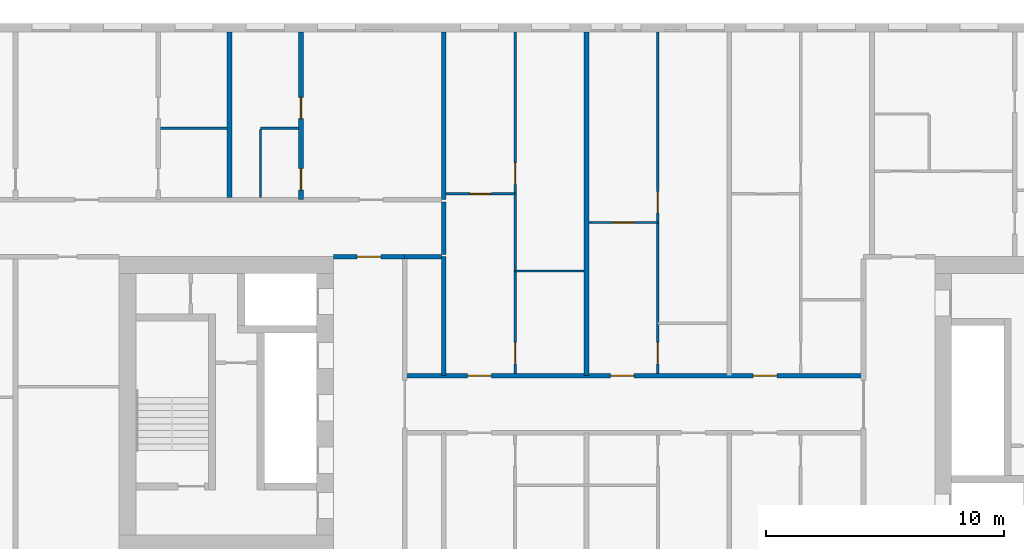
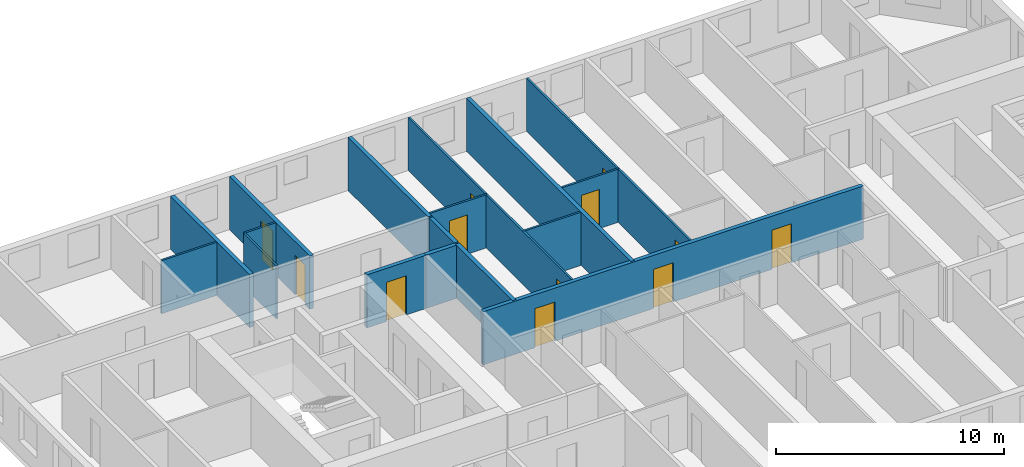
# One storey, part 5 of 17: 17 walls, 12 doors, 12 openings.
"""IFC4 building model written with IfcOpenShell, lengths in metres."""

from ifc_helpers import new_model, si_unit, direction, frame, frame_2d, origin, place, context, subcontext, project, spatial, rectangle, extrude, material, layer, layer_set, type_object, element, fill, save


model = new_model("IFC4")

# Units and contexts
model_context = context("Model", 3, precision=1e-05, world=origin(), true_north=direction((0.0, 1.0)))
body_context = subcontext(model_context, "Body", "Model", "MODEL_VIEW")
ifc_project = project(units=[si_unit("LENGTHUNIT", "METRE"), si_unit("AREAUNIT", "SQUARE_METRE"), si_unit("VOLUMEUNIT", "CUBIC_METRE"), si_unit("PLANEANGLEUNIT", "RADIAN"), si_unit("MASSUNIT", "GRAM", prefix="KILO")], contexts=[model_context])

# Site, building, storey
site_placement = place(None, origin())
site = spatial("IfcSite", under=ifc_project, at=site_placement, CompositionType="ELEMENT")
building_placement = place(site_placement, origin())
building = spatial("IfcBuilding", under=site, at=building_placement, Name="Tuart Gate Housing", CompositionType="ELEMENT")
storey_placement = place(building_placement, frame((0.0, 0.0, 84.0)))
storey = spatial("IfcBuildingStorey", under=building, at=storey_placement, Name="L23", CompositionType="ELEMENT", Elevation=84.0)

# Wall, openings, doors
ifc_material_1 = material(Name="Concrete masonry 15 MPa", Category="masonry")
ifc_layer_1 = layer(ifc_material_1, 0.199951171875)
ifc_layer_set_1 = layer_set([ifc_layer_1], Name="Corridor wall masonry 200")
wall_type_1 = type_object("IfcWallType", Name="Corridor wall masonry 200", PredefinedType="PARTITIONING", material=ifc_layer_set_1)
wall_1_placement = place(storey_placement, frame((44.360107421875, 71.199951171875, 0.0), z_axis=(0.0, 0.0, 1.0), x_axis=(1.0, 0.0, 0.0)))
wall_1 = element("IfcWall", 1, at=wall_1_placement, inside=storey, type_object=wall_type_1, Name="Corridor wall masonry 200", PredefinedType="PARTITIONING", context=body_context, shape_type="SweptSolid", body=[
    extrude(rectangle(XDim=19.27978515625, YDim=0.199951171875, at=frame_2d((9.639892578125, 0.0))), origin(), (0.0, 0.0, 1.0), 2.85009765625),
])
opening_1_placement = place(wall_1_placement, frame((14.639892578125, 0.0, 0.0)))
opening_1 = element("IfcOpeningElement", 2, at=opening_1_placement, cuts=wall_1, Name="Opening D976", PredefinedType="OPENING", context=body_context, shape_type="SweptSolid", body=[
    extrude(rectangle(XDim=1.0, YDim=2.10009765625, at=frame_2d((0.5, 1.050048828125))), frame((0.0, 0.10986328125, 0.0), z_axis=(0.0, -1.0, 0.0), x_axis=(1.0, 0.0, 0.0)), (0.0, 0.0, 1.0), 0.219970703125),
])
opening_2_placement = place(wall_1_placement, frame((8.639892578125, 0.0, 0.0)))
opening_2 = element("IfcOpeningElement", 3, at=opening_2_placement, cuts=wall_1, Name="Opening D977", PredefinedType="OPENING", context=body_context, shape_type="SweptSolid", body=[
    extrude(rectangle(XDim=1.0, YDim=2.10009765625, at=frame_2d((0.5, 1.050048828125))), frame((0.0, 0.10986328125, 0.0), z_axis=(0.0, -1.0, 0.0), x_axis=(1.0, 0.0, 0.0)), (0.0, 0.0, 1.0), 0.219970703125),
])
opening_3_placement = place(wall_1_placement, frame((2.639892578125, 0.0, 0.0)))
opening_3 = element("IfcOpeningElement", 4, at=opening_3_placement, cuts=wall_1, Name="Opening D978", PredefinedType="OPENING", context=body_context, shape_type="SweptSolid", body=[
    extrude(rectangle(XDim=1.0, YDim=2.10009765625, at=frame_2d((0.5, 1.050048828125))), frame((0.0, 0.10986328125, 0.0), z_axis=(0.0, -1.0, 0.0), x_axis=(1.0, 0.0, 0.0)), (0.0, 0.0, 1.0), 0.219970703125),
])
ifc_material_2 = material(Name="Timber door leaf in steel frame", Category="steel")
door_type_1 = type_object("IfcDoorType", Name="Flat entrance door 1000", OperationType="SINGLE_SWING_LEFT", PredefinedType="DOOR", material=ifc_material_2)
door_1_placement = place(opening_1_placement, origin())
door_1 = element("IfcDoor", 5, at=door_1_placement, inside=storey, type_object=door_type_1, Name="Flat entrance door", OperationType="SINGLE_SWING_LEFT", OverallHeight=2.10009765625, OverallWidth=1.0, PredefinedType="DOOR", context=body_context, shape_type="SweptSolid", body=[
    extrude(rectangle(XDim=1.0, YDim=2.10009765625, at=frame_2d((0.5, 1.050048828125))), frame((0.0, 0.02490234375, 0.0), z_axis=(0.0, -1.0, 0.0), x_axis=(1.0, 0.0, 0.0)), (0.0, 0.0, 1.0), 0.050048828125),
])
fill(opening_1, door_1)
door_2_placement = place(opening_2_placement, origin())
door_2 = element("IfcDoor", 6, at=door_2_placement, inside=storey, type_object=door_type_1, Name="Flat entrance door", OperationType="SINGLE_SWING_LEFT", OverallHeight=2.10009765625, OverallWidth=1.0, PredefinedType="DOOR", context=body_context, shape_type="SweptSolid", body=[
    extrude(rectangle(XDim=1.0, YDim=2.10009765625, at=frame_2d((0.5, 1.050048828125))), frame((0.0, 0.02490234375, 0.0), z_axis=(0.0, -1.0, 0.0), x_axis=(1.0, 0.0, 0.0)), (0.0, 0.0, 1.0), 0.050048828125),
])
fill(opening_2, door_2)
door_3_placement = place(opening_3_placement, origin())
door_3 = element("IfcDoor", 7, at=door_3_placement, inside=storey, type_object=door_type_1, Name="Flat entrance door", OperationType="SINGLE_SWING_LEFT", OverallHeight=2.10009765625, OverallWidth=1.0, PredefinedType="DOOR", context=body_context, shape_type="SweptSolid", body=[
    extrude(rectangle(XDim=1.0, YDim=2.10009765625, at=frame_2d((0.5, 1.050048828125))), frame((0.0, 0.02490234375, 0.0), z_axis=(0.0, -1.0, 0.0), x_axis=(1.0, 0.0, 0.0)), (0.0, 0.0, 1.0), 0.050048828125),
])
fill(opening_3, door_3)

# Walls
wall_2_placement = place(storey_placement, frame((44.360107421875, 76.199951171875, 0.0), z_axis=(0.0, 0.0, 1.0), x_axis=(1.0, 0.0, 0.0)))
element("IfcWall", 8, at=wall_2_placement, inside=storey, type_object=wall_type_1, Name="Corridor wall masonry 200", PredefinedType="PARTITIONING", context=body_context, shape_type="SweptSolid", body=[
    extrude(rectangle(XDim=1.539794921875, YDim=0.199951171875, at=frame_2d((0.77001953125, 0.0))), origin(), (0.0, 0.0, 1.0), 2.85009765625),
])
wall_3_placement = place(storey_placement, frame((46.0, 76.300048828125, 0.0), z_axis=(0.0, 0.0, 1.0), x_axis=(0.0, 1.0, 0.0)))
element("IfcWall", 9, at=wall_3_placement, inside=storey, type_object=wall_type_1, Name="Corridor wall masonry 200", PredefinedType="PARTITIONING", context=body_context, shape_type="SweptSolid", body=[
    extrude(rectangle(XDim=2.199951171875, YDim=0.199951171875, at=frame_2d((1.10009765625, 0.0))), origin(), (0.0, 0.0, 1.0), 2.85009765625),
])

# Wall, opening, door
ifc_material_3 = material(Name="Concrete masonry 15 MPa", Category="masonry")
ifc_layer_2 = layer(ifc_material_3, 0.199951171875)
ifc_layer_set_2 = layer_set([ifc_layer_2], Name="Enclosure wall masonry 200")
wall_type_2 = type_object("IfcWallType", Name="Enclosure wall masonry 200", PredefinedType="PARTITIONING", material=ifc_layer_set_2)
wall_4_placement = place(storey_placement, frame((41.360107421875, 76.199951171875, 0.0), z_axis=(0.0, 0.0, 1.0), x_axis=(1.0, 0.0, 0.0)))
wall_4 = element("IfcWall", 10, at=wall_4_placement, inside=storey, type_object=wall_type_2, Name="Enclosure wall masonry 200", PredefinedType="PARTITIONING", context=body_context, shape_type="SweptSolid", body=[
    extrude(rectangle(XDim=3.0, YDim=0.199951171875, at=frame_2d((1.5, 0.0))), origin(), (0.0, 0.0, 1.0), 2.85009765625),
])
opening_4_placement = place(wall_4_placement, frame((1.0, 0.0, 0.0)))
opening_4 = element("IfcOpeningElement", 11, at=opening_4_placement, cuts=wall_4, Name="Opening D971", PredefinedType="OPENING", context=body_context, shape_type="SweptSolid", body=[
    extrude(rectangle(XDim=1.0, YDim=2.10009765625, at=frame_2d((0.5, 1.050048828125))), frame((0.0, 0.10986328125, 0.0), z_axis=(0.0, -1.0, 0.0), x_axis=(1.0, 0.0, 0.0)), (0.0, 0.0, 1.0), 0.219970703125),
])
ifc_material_4 = material(Name="Timber door leaf in steel frame", Category="steel")
door_type_2 = type_object("IfcDoorType", Name="Fire door 1000 RH", OperationType="SINGLE_SWING_RIGHT", PredefinedType="DOOR", material=ifc_material_4)
door_4_placement = place(opening_4_placement, origin())
door_4 = element("IfcDoor", 12, at=door_4_placement, inside=storey, type_object=door_type_2, Name="Fire door", OperationType="SINGLE_SWING_RIGHT", OverallHeight=2.10009765625, OverallWidth=1.0, PredefinedType="DOOR", context=body_context, shape_type="SweptSolid", body=[
    extrude(rectangle(XDim=1.0, YDim=2.10009765625, at=frame_2d((0.5, 1.050048828125))), frame((0.0, 0.02490234375, 0.0), z_axis=(0.0, -1.0, 0.0), x_axis=(1.0, 0.0, 0.0)), (0.0, 0.0, 1.0), 0.050048828125),
])
fill(opening_4, door_4)

# Wall
ifc_material_5 = material(Name="Gypsum board on steel studs", Category="steel")
ifc_layer_3 = layer(ifc_material_5, 0.10009765625)
ifc_layer_set_3 = layer_set([ifc_layer_3], Name="Partition 100")
wall_type_3 = type_object("IfcWallType", Name="Partition 100", PredefinedType="PARTITIONING", material=ifc_layer_set_3)
wall_5_placement = place(storey_placement, frame((49.0, 75.60009765625, 0.0), z_axis=(0.0, 0.0, 1.0), x_axis=(1.0, 0.0, 0.0)))
element("IfcWall", 13, at=wall_5_placement, inside=storey, type_object=wall_type_3, Name="Partition 100", PredefinedType="PARTITIONING", context=body_context, shape_type="SweptSolid", body=[
    extrude(rectangle(XDim=2.89990234375, YDim=0.10009765625, at=frame_2d((1.449951171875, 0.0))), origin(), (0.0, 0.0, 1.0), 2.85009765625),
])

# Wall, opening, door
wall_6_placement = place(storey_placement, frame((52.10009765625, 77.639892578125, 0.0), z_axis=(0.0, 0.0, 1.0), x_axis=(1.0, 0.0, 0.0)))
wall_6 = element("IfcWall", 14, at=wall_6_placement, inside=storey, type_object=wall_type_3, Name="Partition 100", PredefinedType="PARTITIONING", context=body_context, shape_type="SweptSolid", body=[
    extrude(rectangle(XDim=2.89990234375, YDim=0.10009765625, at=frame_2d((1.449951171875, 0.0))), origin(), (0.0, 0.0, 1.0), 2.85009765625),
])
opening_5_placement = place(wall_6_placement, frame((1.0, 0.0, 0.0)))
opening_5 = element("IfcOpeningElement", 15, at=opening_5_placement, cuts=wall_6, Name="Opening D969", PredefinedType="OPENING", context=body_context, shape_type="SweptSolid", body=[
    extrude(rectangle(XDim=0.89990234375, YDim=2.10009765625, at=frame_2d((0.449951171875, 1.050048828125))), frame((0.0, 0.06005859375, 0.0), z_axis=(0.0, -1.0, 0.0), x_axis=(1.0, 0.0, 0.0)), (0.0, 0.0, 1.0), 0.1201171875),
])
ifc_material_6 = material(Name="Timber door leaf in steel frame", Category="steel")
door_type_3 = type_object("IfcDoorType", Name="Internal door 900", OperationType="SINGLE_SWING_LEFT", PredefinedType="DOOR", material=ifc_material_6)
door_5_placement = place(opening_5_placement, frame((0.89990234375, 0.0, 0.0), z_axis=(0.0, 0.0, 1.0), x_axis=(-1.0, 0.0, 0.0)))
door_5 = element("IfcDoor", 16, at=door_5_placement, inside=storey, type_object=door_type_3, Name="Internal door", OperationType="SINGLE_SWING_LEFT", OverallHeight=2.10009765625, OverallWidth=0.89990234375, PredefinedType="DOOR", context=body_context, shape_type="SweptSolid", body=[
    extrude(rectangle(XDim=0.89990234375, YDim=2.10009765625, at=frame_2d((0.449951171875, 1.050048828125))), frame((0.0, 0.025146484375, 0.0), z_axis=(0.0, -1.0, 0.0), x_axis=(1.0, 0.0, 0.0)), (0.0, 0.0, 1.0), 0.050048828125),
])
fill(opening_5, door_5)

wall_7_placement = place(storey_placement, frame((46.10009765625, 78.840087890625, 0.0), z_axis=(0.0, 0.0, 1.0), x_axis=(1.0, 0.0, 0.0)))
wall_7 = element("IfcWall", 17, at=wall_7_placement, inside=storey, type_object=wall_type_3, Name="Partition 100", PredefinedType="PARTITIONING", context=body_context, shape_type="SweptSolid", body=[
    extrude(rectangle(XDim=2.89990234375, YDim=0.10009765625, at=frame_2d((1.449951171875, 0.0))), origin(), (0.0, 0.0, 1.0), 2.85009765625),
])
opening_6_placement = place(wall_7_placement, frame((1.0, 0.0, 0.0)))
opening_6 = element("IfcOpeningElement", 18, at=opening_6_placement, cuts=wall_7, Name="Opening D959", PredefinedType="OPENING", context=body_context, shape_type="SweptSolid", body=[
    extrude(rectangle(XDim=0.89990234375, YDim=2.10009765625, at=frame_2d((0.449951171875, 1.050048828125))), frame((0.0, 0.06005859375, 0.0), z_axis=(0.0, -1.0, 0.0), x_axis=(1.0, 0.0, 0.0)), (0.0, 0.0, 1.0), 0.1201171875),
])
door_6_placement = place(opening_6_placement, frame((0.89990234375, 0.0, 0.0), z_axis=(0.0, 0.0, 1.0), x_axis=(-1.0, 0.0, 0.0)))
door_6 = element("IfcDoor", 19, at=door_6_placement, inside=storey, type_object=door_type_3, Name="Internal door", OperationType="SINGLE_SWING_LEFT", OverallHeight=2.10009765625, OverallWidth=0.89990234375, PredefinedType="DOOR", context=body_context, shape_type="SweptSolid", body=[
    extrude(rectangle(XDim=0.89990234375, YDim=2.10009765625, at=frame_2d((0.449951171875, 1.050048828125))), frame((0.0, 0.025146484375, 0.0), z_axis=(0.0, -1.0, 0.0), x_axis=(1.0, 0.0, 0.0)), (0.0, 0.0, 1.0), 0.050048828125),
])
fill(opening_6, door_6)

# Walls
wall_8_placement = place(storey_placement, frame((34.10009765625, 81.60009765625, 0.0), z_axis=(0.0, 0.0, 1.0), x_axis=(1.0, 0.0, 0.0)))
element("IfcWall", 20, at=wall_8_placement, inside=storey, type_object=wall_type_3, Name="Partition 100", PredefinedType="PARTITIONING", context=body_context, shape_type="SweptSolid", body=[
    extrude(rectangle(XDim=2.7998046875, YDim=0.10009765625, at=frame_2d((1.39990234375, 0.0))), origin(), (0.0, 0.0, 1.0), 2.85009765625),
])
wall_9_placement = place(storey_placement, frame((38.300048828125, 81.60009765625, 0.0), z_axis=(0.0, 0.0, 1.0), x_axis=(1.0, 0.0, 0.0)))
element("IfcWall", 21, at=wall_9_placement, inside=storey, type_object=wall_type_3, Name="Partition 100", PredefinedType="PARTITIONING", context=body_context, shape_type="SweptSolid", body=[
    extrude(rectangle(XDim=1.599853515625, YDim=0.10009765625, at=frame_2d((0.7998046875, 0.0))), origin(), (0.0, 0.0, 1.0), 2.85009765625),
])
wall_10_placement = place(storey_placement, frame((38.300048828125, 78.699951171875, 0.0), z_axis=(0.0, 0.0, 1.0), x_axis=(0.0, 1.0, 0.0)))
element("IfcWall", 22, at=wall_10_placement, inside=storey, type_object=wall_type_3, Name="Partition 100", PredefinedType="PARTITIONING", context=body_context, shape_type="SweptSolid", body=[
    extrude(rectangle(XDim=2.85009765625, YDim=0.10009765625, at=frame_2d((1.425048828125, 0.0))), origin(), (0.0, 0.0, 1.0), 2.85009765625),
])

# Wall, openings, doors
wall_11_placement = place(storey_placement, frame((49.0, 71.300048828125, 0.0), z_axis=(0.0, 0.0, 1.0), x_axis=(0.0, 1.0, 0.0)))
wall_11 = element("IfcWall", 23, at=wall_11_placement, inside=storey, type_object=wall_type_3, Name="Partition 100", PredefinedType="PARTITIONING", context=body_context, shape_type="SweptSolid", body=[
    extrude(rectangle(XDim=14.33984375, YDim=0.10009765625, at=frame_2d((7.169921875, 0.0))), origin(), (0.0, 0.0, 1.0), 2.85009765625),
])
opening_7_placement = place(wall_11_placement, frame((7.93994140625, 0.0, 0.0)))
opening_7 = element("IfcOpeningElement", 24, at=opening_7_placement, cuts=wall_11, Name="Opening D964", PredefinedType="OPENING", context=body_context, shape_type="SweptSolid", body=[
    extrude(rectangle(XDim=0.89990234375, YDim=2.10009765625, at=frame_2d((0.449951171875, 1.050048828125))), frame((0.0, 0.06005859375, 0.0), z_axis=(0.0, -1.0, 0.0), x_axis=(1.0, 0.0, 0.0)), (0.0, 0.0, 1.0), 0.1201171875),
])
opening_8_placement = place(wall_11_placement, frame((0.39990234375, 0.0, 0.0)))
opening_8 = element("IfcOpeningElement", 25, at=opening_8_placement, cuts=wall_11, Name="Opening D963", PredefinedType="OPENING", context=body_context, shape_type="SweptSolid", body=[
    extrude(rectangle(XDim=0.89990234375, YDim=2.10009765625, at=frame_2d((0.449951171875, 1.050048828125))), frame((0.0, 0.06005859375, 0.0), z_axis=(0.0, -1.0, 0.0), x_axis=(1.0, 0.0, 0.0)), (0.0, 0.0, 1.0), 0.1201171875),
])
ifc_material_7 = material(Name="Timber door leaf in steel frame", Category="steel")
door_type_4 = type_object("IfcDoorType", Name="Bathroom door 900 RH", OperationType="SINGLE_SWING_RIGHT", PredefinedType="DOOR", material=ifc_material_7)
door_7_placement = place(opening_8_placement, frame((0.89990234375, 0.0, 0.0), z_axis=(0.0, 0.0, 1.0), x_axis=(-1.0, 0.0, 0.0)))
door_7 = element("IfcDoor", 26, at=door_7_placement, inside=storey, type_object=door_type_4, Name="Bathroom door", OperationType="SINGLE_SWING_RIGHT", OverallHeight=2.10009765625, OverallWidth=0.89990234375, PredefinedType="DOOR", context=body_context, shape_type="SweptSolid", body=[
    extrude(rectangle(XDim=0.89990234375, YDim=2.10009765625, at=frame_2d((0.449951171875, 1.050048828125))), frame((0.0, 0.025146484375, 0.0), z_axis=(0.0, -1.0, 0.0), x_axis=(1.0, 0.0, 0.0)), (0.0, 0.0, 1.0), 0.050048828125),
])
fill(opening_8, door_7)
ifc_material_8 = material(Name="Timber door leaf in steel frame", Category="steel")
door_type_5 = type_object("IfcDoorType", Name="Internal door 900 RH", OperationType="SINGLE_SWING_RIGHT", PredefinedType="DOOR", material=ifc_material_8)
door_8_placement = place(opening_7_placement, frame((0.89990234375, 0.0, 0.0), z_axis=(0.0, 0.0, 1.0), x_axis=(-1.0, 0.0, 0.0)))
door_8 = element("IfcDoor", 27, at=door_8_placement, inside=storey, type_object=door_type_5, Name="Internal door", OperationType="SINGLE_SWING_RIGHT", OverallHeight=2.10009765625, OverallWidth=0.89990234375, PredefinedType="DOOR", context=body_context, shape_type="SweptSolid", body=[
    extrude(rectangle(XDim=0.89990234375, YDim=2.10009765625, at=frame_2d((0.449951171875, 1.050048828125))), frame((0.0, 0.025146484375, 0.0), z_axis=(0.0, -1.0, 0.0), x_axis=(1.0, 0.0, 0.0)), (0.0, 0.0, 1.0), 0.050048828125),
])
fill(opening_7, door_8)

wall_12_placement = place(storey_placement, frame((55.0, 71.300048828125, 0.0), z_axis=(0.0, 0.0, 1.0), x_axis=(0.0, 1.0, 0.0)))
wall_12 = element("IfcWall", 28, at=wall_12_placement, inside=storey, type_object=wall_type_3, Name="Partition 100", PredefinedType="PARTITIONING", context=body_context, shape_type="SweptSolid", body=[
    extrude(rectangle(XDim=14.33984375, YDim=0.10009765625, at=frame_2d((7.169921875, 0.0))), origin(), (0.0, 0.0, 1.0), 2.85009765625),
])
opening_9_placement = place(wall_12_placement, frame((6.739990234375, 0.0, 0.0)))
opening_9 = element("IfcOpeningElement", 29, at=opening_9_placement, cuts=wall_12, Name="Opening D966", PredefinedType="OPENING", context=body_context, shape_type="SweptSolid", body=[
    extrude(rectangle(XDim=0.89990234375, YDim=2.10009765625, at=frame_2d((0.449951171875, 1.050048828125))), frame((0.0, 0.06005859375, 0.0), z_axis=(0.0, -1.0, 0.0), x_axis=(1.0, 0.0, 0.0)), (0.0, 0.0, 1.0), 0.1201171875),
])
opening_10_placement = place(wall_12_placement, frame((0.39990234375, 0.0, 0.0)))
opening_10 = element("IfcOpeningElement", 30, at=opening_10_placement, cuts=wall_12, Name="Opening D965", PredefinedType="OPENING", context=body_context, shape_type="SweptSolid", body=[
    extrude(rectangle(XDim=0.89990234375, YDim=2.10009765625, at=frame_2d((0.449951171875, 1.050048828125))), frame((0.0, 0.06005859375, 0.0), z_axis=(0.0, -1.0, 0.0), x_axis=(1.0, 0.0, 0.0)), (0.0, 0.0, 1.0), 0.1201171875),
])
door_9_placement = place(opening_10_placement, frame((0.89990234375, 0.0, 0.0), z_axis=(0.0, 0.0, 1.0), x_axis=(-1.0, 0.0, 0.0)))
door_9 = element("IfcDoor", 31, at=door_9_placement, inside=storey, type_object=door_type_4, Name="Bathroom door", OperationType="SINGLE_SWING_RIGHT", OverallHeight=2.10009765625, OverallWidth=0.89990234375, PredefinedType="DOOR", context=body_context, shape_type="SweptSolid", body=[
    extrude(rectangle(XDim=0.89990234375, YDim=2.10009765625, at=frame_2d((0.449951171875, 1.050048828125))), frame((0.0, 0.025146484375, 0.0), z_axis=(0.0, -1.0, 0.0), x_axis=(1.0, 0.0, 0.0)), (0.0, 0.0, 1.0), 0.050048828125),
])
fill(opening_10, door_9)
door_10_placement = place(opening_9_placement, frame((0.89990234375, 0.0, 0.0), z_axis=(0.0, 0.0, 1.0), x_axis=(-1.0, 0.0, 0.0)))
door_10 = element("IfcDoor", 32, at=door_10_placement, inside=storey, type_object=door_type_5, Name="Internal door", OperationType="SINGLE_SWING_RIGHT", OverallHeight=2.10009765625, OverallWidth=0.89990234375, PredefinedType="DOOR", context=body_context, shape_type="SweptSolid", body=[
    extrude(rectangle(XDim=0.89990234375, YDim=2.10009765625, at=frame_2d((0.449951171875, 1.050048828125))), frame((0.0, 0.025146484375, 0.0), z_axis=(0.0, -1.0, 0.0), x_axis=(1.0, 0.0, 0.0)), (0.0, 0.0, 1.0), 0.050048828125),
])
fill(opening_9, door_10)

ifc_material_9 = material(Name="Concrete C40", Category="concrete")
ifc_layer_4 = layer(ifc_material_9, 0.199951171875)
ifc_layer_set_4 = layer_set([ifc_layer_4], Name="Party wall concrete C40 200")
wall_type_4 = type_object("IfcWallType", Name="Party wall concrete C40 200", PredefinedType="SOLIDWALL", material=ifc_layer_set_4)
wall_13_placement = place(storey_placement, frame((40.0, 78.60009765625, 0.0), z_axis=(0.0, 0.0, 1.0), x_axis=(0.0, 1.0, 0.0)))
wall_13 = element("IfcWall", 33, at=wall_13_placement, inside=storey, type_object=wall_type_4, Name="Party wall concrete C40 200", PredefinedType="SOLIDWALL", context=body_context, shape_type="SweptSolid", body=[
    extrude(rectangle(XDim=7.039794921875, YDim=0.199951171875, at=frame_2d((3.52001953125, 0.0))), origin(), (0.0, 0.0, 1.0), 2.85009765625),
])
opening_11_placement = place(wall_13_placement, frame((3.39990234375, 0.0, 0.0)))
opening_11 = element("IfcOpeningElement", 34, at=opening_11_placement, cuts=wall_13, Name="Opening D954", PredefinedType="OPENING", context=body_context, shape_type="SweptSolid", body=[
    extrude(rectangle(XDim=0.89990234375, YDim=2.10009765625, at=frame_2d((0.449951171875, 1.050048828125))), frame((0.0, 0.10986328125, 0.0), z_axis=(0.0, -1.0, 0.0), x_axis=(1.0, 0.0, 0.0)), (0.0, 0.0, 1.0), 0.219970703125),
])
opening_12_placement = place(wall_13_placement, frame((0.39990234375, 0.0, 0.0)))
opening_12 = element("IfcOpeningElement", 35, at=opening_12_placement, cuts=wall_13, Name="Opening D953", PredefinedType="OPENING", context=body_context, shape_type="SweptSolid", body=[
    extrude(rectangle(XDim=0.89990234375, YDim=2.10009765625, at=frame_2d((0.449951171875, 1.050048828125))), frame((0.0, 0.10986328125, 0.0), z_axis=(0.0, -1.0, 0.0), x_axis=(1.0, 0.0, 0.0)), (0.0, 0.0, 1.0), 0.219970703125),
])
ifc_material_10 = material(Name="Timber door leaf in steel frame", Category="steel")
door_type_6 = type_object("IfcDoorType", Name="Bathroom door 900", OperationType="SINGLE_SWING_LEFT", PredefinedType="DOOR", material=ifc_material_10)
door_11_placement = place(opening_12_placement, origin())
door_11 = element("IfcDoor", 36, at=door_11_placement, inside=storey, type_object=door_type_6, Name="Bathroom door", OperationType="SINGLE_SWING_LEFT", OverallHeight=2.10009765625, OverallWidth=0.89990234375, PredefinedType="DOOR", context=body_context, shape_type="SweptSolid", body=[
    extrude(rectangle(XDim=0.89990234375, YDim=2.10009765625, at=frame_2d((0.449951171875, 1.050048828125))), frame((0.0, 0.02490234375, 0.0), z_axis=(0.0, -1.0, 0.0), x_axis=(1.0, 0.0, 0.0)), (0.0, 0.0, 1.0), 0.050048828125),
])
fill(opening_12, door_11)
door_12_placement = place(opening_11_placement, origin())
door_12 = element("IfcDoor", 37, at=door_12_placement, inside=storey, type_object=door_type_3, Name="Internal door", OperationType="SINGLE_SWING_LEFT", OverallHeight=2.10009765625, OverallWidth=0.89990234375, PredefinedType="DOOR", context=body_context, shape_type="SweptSolid", body=[
    extrude(rectangle(XDim=0.89990234375, YDim=2.10009765625, at=frame_2d((0.449951171875, 1.050048828125))), frame((0.0, 0.02490234375, 0.0), z_axis=(0.0, -1.0, 0.0), x_axis=(1.0, 0.0, 0.0)), (0.0, 0.0, 1.0), 0.050048828125),
])
fill(opening_11, door_12)

# Walls
wall_14_placement = place(storey_placement, frame((46.0, 71.199951171875, 0.0), z_axis=(0.0, 0.0, 1.0), x_axis=(0.0, 1.0, 0.0)))
element("IfcWall", 38, at=wall_14_placement, inside=storey, type_object=wall_type_4, Name="Party wall concrete C40 200", PredefinedType="SOLIDWALL", context=body_context, shape_type="SweptSolid", body=[
    extrude(rectangle(XDim=5.0, YDim=0.199951171875, at=frame_2d((2.5, 0.0))), origin(), (0.0, 0.0, 1.0), 2.85009765625),
])
wall_15_placement = place(storey_placement, frame((46.0, 78.60009765625, 0.0), z_axis=(0.0, 0.0, 1.0), x_axis=(0.0, 1.0, 0.0)))
element("IfcWall", 39, at=wall_15_placement, inside=storey, type_object=wall_type_4, Name="Party wall concrete C40 200", PredefinedType="SOLIDWALL", context=body_context, shape_type="SweptSolid", body=[
    extrude(rectangle(XDim=7.039794921875, YDim=0.199951171875, at=frame_2d((3.52001953125, 0.0))), origin(), (0.0, 0.0, 1.0), 2.85009765625),
])
wall_16_placement = place(storey_placement, frame((52.0, 71.199951171875, 0.0), z_axis=(0.0, 0.0, 1.0), x_axis=(0.0, 1.0, 0.0)))
element("IfcWall", 40, at=wall_16_placement, inside=storey, type_object=wall_type_4, Name="Party wall concrete C40 200", PredefinedType="SOLIDWALL", context=body_context, shape_type="SweptSolid", body=[
    extrude(rectangle(XDim=14.43994140625, YDim=0.199951171875, at=frame_2d((7.219970703125, 0.0))), origin(), (0.0, 0.0, 1.0), 2.85009765625),
])
ifc_material_11 = material(Name="Concrete masonry 15 MPa", Category="masonry")
ifc_layer_5 = layer(ifc_material_11, 0.199951171875)
ifc_layer_set_5 = layer_set([ifc_layer_5], Name="Party wall masonry 200")
wall_type_5 = type_object("IfcWallType", Name="Party wall masonry 200", PredefinedType="PARTITIONING", material=ifc_layer_set_5)
wall_17_placement = place(storey_placement, frame((37.0, 78.699951171875, 0.0), z_axis=(0.0, 0.0, 1.0), x_axis=(0.0, 1.0, 0.0)))
element("IfcWall", 41, at=wall_17_placement, inside=storey, type_object=wall_type_5, Name="Party wall masonry 200", PredefinedType="PARTITIONING", context=body_context, shape_type="SweptSolid", body=[
    extrude(rectangle(XDim=6.93994140625, YDim=0.199951171875, at=frame_2d((3.469970703125, 0.0))), origin(), (0.0, 0.0, 1.0), 2.85009765625),
])

save(model, "model.ifc")
